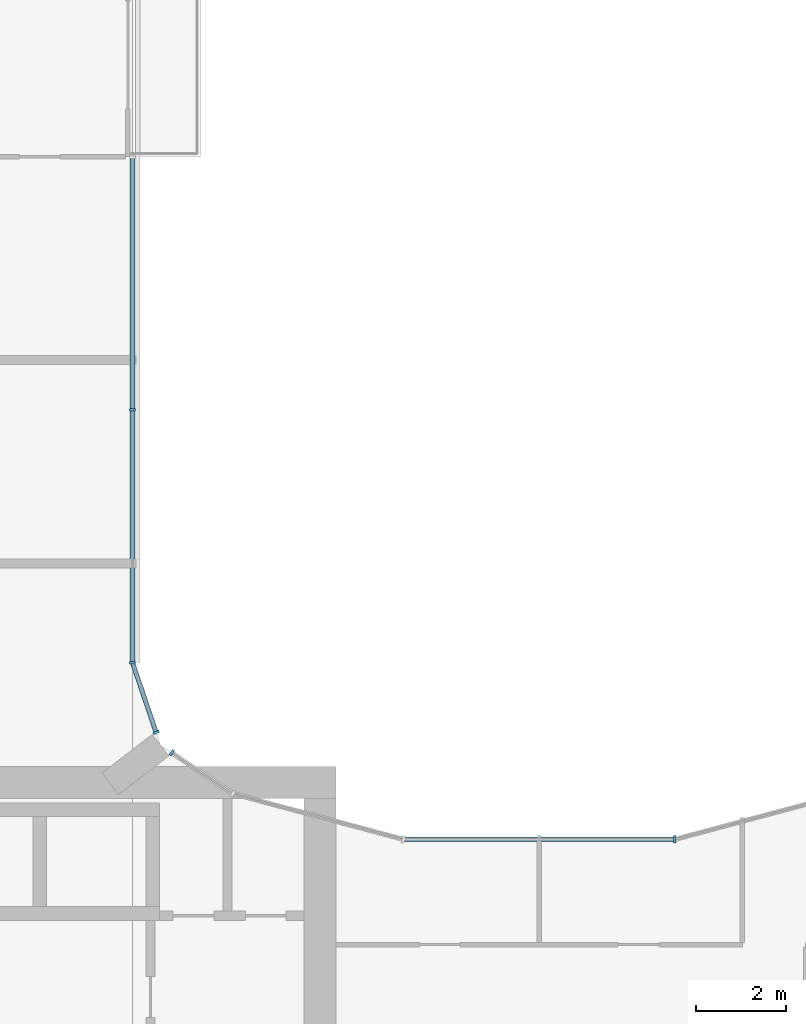
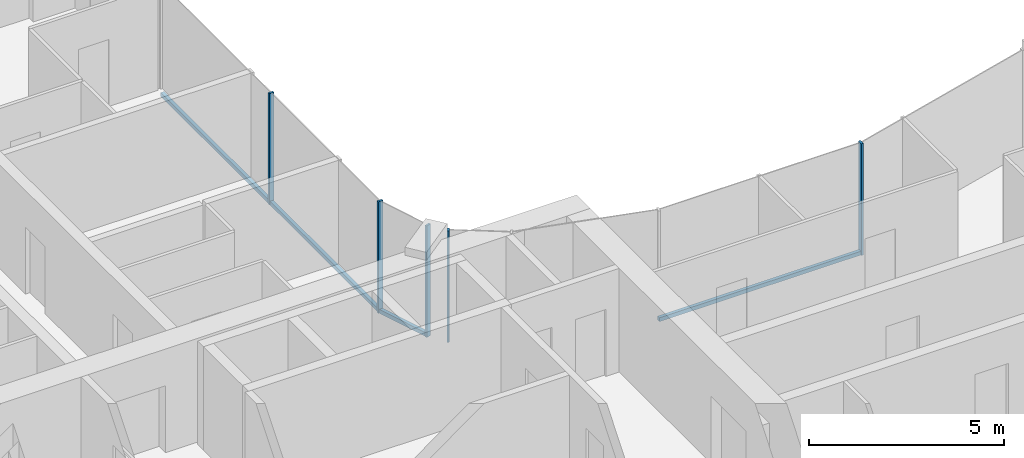
# One storey, part 4 of 23: 8 members, 4 elements without a shape of their own.
"""IFC4 building model written with IfcOpenShell, lengths in metres."""

from ifc_helpers import new_model, si_unit, direction, frame, origin, origin_2d, place, context, subcontext, project, spatial, rectangle, extrude, material, layer, layer_set, material_profile, profile_set, type_object, element, aggregate, save


model = new_model("IFC4")

# Units and contexts
model_context = context("Model", 3, precision=1e-05, world=origin(), true_north=direction((0.0, 1.0)))
body_context = subcontext(model_context, "Body", "Model", "MODEL_VIEW")
ifc_project = project(units=[si_unit("LENGTHUNIT", "METRE"), si_unit("AREAUNIT", "SQUARE_METRE"), si_unit("VOLUMEUNIT", "CUBIC_METRE"), si_unit("PLANEANGLEUNIT", "RADIAN"), si_unit("MASSUNIT", "GRAM", prefix="KILO")], contexts=[model_context])

# Site, building, storey
site_placement = place(None, origin())
site = spatial("IfcSite", under=ifc_project, at=site_placement, CompositionType="ELEMENT")
building_placement = place(site_placement, origin())
building = spatial("IfcBuilding", under=site, at=building_placement, Name="Plateau Cross Towers", CompositionType="ELEMENT")
storey_placement = place(building_placement, frame((0.0, 0.0, 95.800048828125)))
storey = spatial("IfcBuildingStorey", under=building, at=storey_placement, Name="L24", CompositionType="ELEMENT", Elevation=95.800048828125)

# Curtain wall, member
ifc_material_1 = material(Name="Dark low-iron glass", Category="glass")
ifc_layer_1 = layer(ifc_material_1, 0.239990234375)
ifc_layer_set_1 = layer_set([ifc_layer_1], Name="Dark low-iron glass")
curtain_wall_type_1 = type_object("IfcCurtainWallType", Name="Curtain wall flush unitised CW-B", PredefinedType="NOTDEFINED", material=ifc_layer_set_1)
curtain_wall_1_placement = place(storey_placement, origin())
curtain_wall_1 = element("IfcCurtainWall", 1, at=curtain_wall_1_placement, inside=storey, type_object=curtain_wall_type_1, Name="ENV/A/L24/A202_174", PredefinedType="NOTDEFINED")
ifc_material_2 = material(Name="Black anodised aluminium", Category="aluminium")
ifc_material_profile_1 = material_profile(ifc_material_2, rectangle(XDim=0.06005859375, YDim=0.139892578125, at=origin_2d()), Name="MULLION 60x140")
ifc_profile_set_1 = profile_set([ifc_material_profile_1], Name="Black anodised aluminium")
member_type_1 = type_object("IfcMemberType", Name="Mullion 60x140 flush unitised", PredefinedType="MULLION", material=ifc_profile_set_1)
member_1_placement = place(storey_placement, frame((18.86962890625, 18.30908203125, -0.25), z_axis=(0.0, 0.0, 1.0), x_axis=(-0.831521253329, 0.555492938984, 0.0)))
member_1 = element("IfcMember", 2, at=member_1_placement, type_object=member_type_1, Name="CW-B mullion 2", PredefinedType="MULLION", context=body_context, shape_type="SweptSolid", body=[
    extrude(rectangle(XDim=0.06005859375, YDim=0.139892578125, at=origin_2d()), origin(), (0.0, 0.0, 1.0), 3.5),
])
aggregate(curtain_wall_1, [member_1])

curtain_wall_2_placement = place(storey_placement, origin())
curtain_wall_2 = element("IfcCurtainWall", 3, at=curtain_wall_2_placement, inside=storey, type_object=curtain_wall_type_1, Name="ENV/A/L24/A185_188", PredefinedType="NOTDEFINED")
member_2_placement = place(storey_placement, frame((18.523681640625, 18.760009765625, -0.25), z_axis=(0.0, 0.0, 1.0), x_axis=(-0.321469161574, 0.94692004845, 0.0)))
member_2 = element("IfcMember", 4, at=member_2_placement, type_object=member_type_1, Name="CW-B mullion 1", PredefinedType="MULLION", context=body_context, shape_type="SweptSolid", body=[
    extrude(rectangle(XDim=0.06005859375, YDim=0.139892578125, at=origin_2d()), origin(), (0.0, 0.0, 1.0), 3.5),
])

# Curtain wall, members
curtain_wall_3_placement = place(storey_placement, origin())
curtain_wall_3 = element("IfcCurtainWall", 5, at=curtain_wall_3_placement, inside=storey, type_object=curtain_wall_type_1, Name="ENV/A/L24/A180_203", PredefinedType="NOTDEFINED")
member_3_placement = place(storey_placement, frame((18.0, 20.30224609375, -0.25), z_axis=(0.0, 0.0, 1.0), x_axis=(0.0, 1.0, 0.0)))
member_3 = element("IfcMember", 6, at=member_3_placement, type_object=member_type_1, Name="CW-B mullion 1", PredefinedType="MULLION", context=body_context, shape_type="SweptSolid", body=[
    extrude(rectangle(XDim=0.06005859375, YDim=0.139892578125, at=origin_2d()), origin(), (0.0, 0.0, 1.0), 3.5),
])
member_4_placement = place(storey_placement, frame((18.0, 25.896240234375, -0.25), z_axis=(0.0, 0.0, 1.0), x_axis=(0.0, 1.0, 0.0)))
member_4 = element("IfcMember", 7, at=member_4_placement, type_object=member_type_1, Name="CW-B mullion 2", PredefinedType="MULLION", context=body_context, shape_type="SweptSolid", body=[
    extrude(rectangle(XDim=0.06005859375, YDim=0.139892578125, at=origin_2d()), origin(), (0.0, 0.0, 1.0), 3.5),
])

# Curtain wall, member
ifc_layer_2 = layer(ifc_material_1, 0.260009765625)
ifc_layer_set_2 = layer_set([ifc_layer_2], Name="Dark low-iron glass")
curtain_wall_type_2 = type_object("IfcCurtainWallType", Name="Curtain wall fluted unitised CW-A", PredefinedType="NOTDEFINED", material=ifc_layer_set_2)
curtain_wall_4_placement = place(storey_placement, origin())
curtain_wall_4 = element("IfcCurtainWall", 8, at=curtain_wall_4_placement, inside=storey, type_object=curtain_wall_type_2, Name="ENV/A/L24/A300_164", PredefinedType="NOTDEFINED")
ifc_material_profile_2 = material_profile(ifc_material_2, rectangle(XDim=0.06005859375, YDim=0.159912109375, at=origin_2d()), Name="MULLION 60x160")
ifc_profile_set_2 = profile_set([ifc_material_profile_2], Name="Black anodised aluminium")
member_type_2 = type_object("IfcMemberType", Name="Mullion 60x160 fluted unitised", PredefinedType="MULLION", material=ifc_profile_set_2)
member_5_placement = place(storey_placement, frame((30.0, 16.39306640625, -0.25), z_axis=(0.0, 0.0, 1.0), x_axis=(-1.0, 0.0, 0.0)))
member_5 = element("IfcMember", 9, at=member_5_placement, type_object=member_type_2, Name="CW-A mullion 1", PredefinedType="MULLION", context=body_context, shape_type="SweptSolid", body=[
    extrude(rectangle(XDim=0.06005859375, YDim=0.159912109375, at=origin_2d()), origin(), (0.0, 0.0, 1.0), 3.5),
])

# Member
ifc_material_profile_3 = material_profile(ifc_material_2, rectangle(XDim=0.10009765625, YDim=0.1201171875, at=origin_2d()), Name="TRANSOM 100x120")
ifc_profile_set_3 = profile_set([ifc_material_profile_3], Name="Black anodised aluminium")
member_type_3 = type_object("IfcMemberType", Name="Transom 100x120 flush unitised", PredefinedType="USERDEFINED", material=ifc_profile_set_3)
member_6_placement = place(storey_placement, frame((18.523681640625, 18.760009765625, -0.18994140625), z_axis=(-0.321529174838, 0.946899672472, 0.0), x_axis=(-0.946899672472, -0.321529174838, 0.0)))
member_6 = element("IfcMember", 10, at=member_6_placement, type_object=member_type_3, Name="CW-B transom", ObjectType="TRANSOM", PredefinedType="USERDEFINED", context=body_context, shape_type="SweptSolid", body=[
    extrude(rectangle(XDim=0.10009765625, YDim=0.1201171875, at=origin_2d()), origin(), (0.0, 0.0, 1.0), 1.628662109375),
])

aggregate(curtain_wall_2, [member_2, member_6])

member_7_placement = place(storey_placement, frame((18.0, 20.30224609375, -0.18994140625), z_axis=(0.0, 1.0, 0.0), x_axis=(-1.0, 0.0, 0.0)))
member_7 = element("IfcMember", 11, at=member_7_placement, type_object=member_type_3, Name="CW-B transom", ObjectType="TRANSOM", PredefinedType="USERDEFINED", context=body_context, shape_type="SweptSolid", body=[
    extrude(rectangle(XDim=0.10009765625, YDim=0.1201171875, at=origin_2d()), origin(), (0.0, 0.0, 1.0), 11.187744140625),
])

aggregate(curtain_wall_3, [member_3, member_4, member_7])

ifc_material_profile_4 = material_profile(ifc_material_2, rectangle(XDim=0.10009765625, YDim=0.1201171875, at=origin_2d()), Name="TRANSOM 100x120")
ifc_profile_set_4 = profile_set([ifc_material_profile_4], Name="Black anodised aluminium")
member_type_4 = type_object("IfcMemberType", Name="Transom 100x120 fluted unitised", PredefinedType="USERDEFINED", material=ifc_profile_set_4)
member_8_placement = place(storey_placement, frame((30.0, 16.39306640625, -0.18994140625), z_axis=(-1.0, 0.0, 0.0), x_axis=(0.0, -1.0, 0.0)))
member_8 = element("IfcMember", 12, at=member_8_placement, type_object=member_type_4, Name="CW-A transom", ObjectType="TRANSOM", PredefinedType="USERDEFINED", context=body_context, shape_type="SweptSolid", body=[
    extrude(rectangle(XDim=0.10009765625, YDim=0.1201171875, at=origin_2d()), origin(), (0.0, 0.0, 1.0), 6.0),
])

aggregate(curtain_wall_4, [member_5, member_8])

save(model, "model.ifc")
